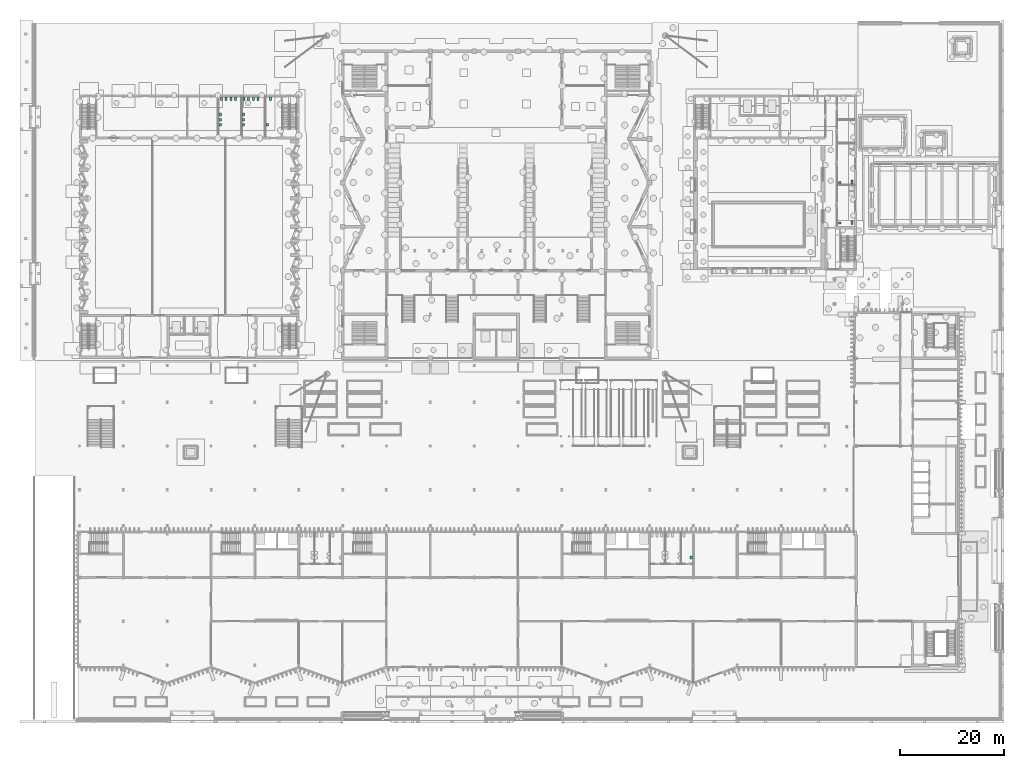
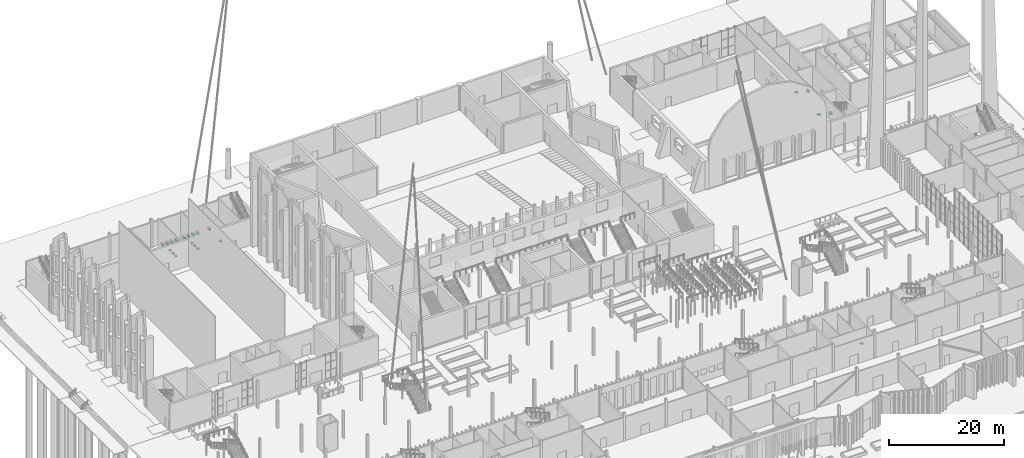
# One storey, part 107 of 108: 21 sanitary terminals.
"""IFC4 building model written with IfcOpenShell, lengths in metres."""

from ifc_helpers import new_model, si_unit, direction, frame, origin, origin_2d, place, context, subcontext, project, spatial, rectangle, extrude, material, type_object, element, save


model = new_model("IFC4")

# Units and contexts
model_context = context("Model", 3, precision=1e-05, world=origin(), true_north=direction((0.0, 1.0)))
body_context = subcontext(model_context, "Body", "Model", "MODEL_VIEW")
ifc_project = project(units=[si_unit("LENGTHUNIT", "METRE"), si_unit("AREAUNIT", "SQUARE_METRE"), si_unit("VOLUMEUNIT", "CUBIC_METRE"), si_unit("PLANEANGLEUNIT", "RADIAN"), si_unit("MASSUNIT", "GRAM", prefix="KILO")], contexts=[model_context])

# Site, building, storey
site_placement = place(None, origin())
site = spatial("IfcSite", under=ifc_project, at=site_placement, CompositionType="ELEMENT")
building_placement = place(site_placement, origin())
building = spatial("IfcBuilding", under=site, at=building_placement, Name="Cresset Court Congress Hotel", CompositionType="ELEMENT")
storey_placement = place(building_placement, origin())
storey = spatial("IfcBuildingStorey", under=building, at=storey_placement, Name="L00", CompositionType="ELEMENT", Elevation=0.0)

# Sanitary terminals
ifc_material_1 = material(Name="Vitreous china")
sanitary_terminal_type_1 = type_object("IfcSanitaryTerminalType", Name="WC pan", PredefinedType="TOILETPAN", material=ifc_material_1)
for number, where, z_axis, x_axis, name in (
    (1, (35.60009765625, 108.5, 0.0), (0.0, 0.0, 1.0), (1.0, 0.0, 0.0), "WC pan"),
    (2, (36.5, 108.5, 0.0), (0.0, 0.0, 1.0), (1.0, 0.0, 0.0), "WC pan"),
    (3, (37.39990234375, 108.5, 0.0), (0.0, 0.0, 1.0), (1.0, 0.0, 0.0), "WC pan"),
    (4, (38.300048828125, 108.5, 0.0), (0.0, 0.0, 1.0), (1.0, 0.0, 0.0), "WC pan"),
    (5, (39.89990234375, 108.5, 0.0), (0.0, 0.0, 1.0), (1.0, 0.0, 0.0), "WC pan"),
    (6, (40.800048828125, 108.5, 0.0), (0.0, 0.0, 1.0), (1.0, 0.0, 0.0), "WC pan"),
    (7, (41.699951171875, 108.5, 0.0), (0.0, 0.0, 1.0), (1.0, 0.0, 0.0), "WC pan"),
    (8, (42.60009765625, 108.5, 0.0), (0.0, 0.0, 1.0), (1.0, 0.0, 0.0), "WC pan"),
    (9, (45.0, 108.5, 0.0), (0.0, 0.0, 1.0), (1.0, 0.0, 0.0), "WC pan"),
    (10, (156.39990234375, 84.800048828125, 0.0), (0.0, 0.0, 1.0), (1.0, 0.0, 0.0), "WC pan"),
    (11, (156.39990234375, 92.60009765625, 0.0), (0.0, 0.0, 1.0), (1.0, 0.0, 0.0), "WC pan"),
):
    element("IfcSanitaryTerminal", number, at=place(storey_placement, frame(where, z_axis=z_axis, x_axis=x_axis)), inside=storey, type_object=sanitary_terminal_type_1, Name=name, PredefinedType="TOILETPAN", context=body_context, shape_type="SweptSolid", body=[
        extrude(rectangle(XDim=0.39990234375, YDim=0.699951171875, at=origin_2d()), origin(), (0.0, 0.0, 1.0), 0.39990234375),
    ])
ifc_material_2 = material(Name="Vitreous china")
sanitary_terminal_type_2 = type_object("IfcSanitaryTerminalType", Name="Wash basin", PredefinedType="WASHHANDBASIN", material=ifc_material_2)
sanitary_terminal_placement = place(storey_placement, frame((125.60009765625, 20.60009765625, 0.7998046875), z_axis=(0.0, 0.0, 1.0), x_axis=(1.0, 0.0, 0.0)))
element("IfcSanitaryTerminal", 12, at=sanitary_terminal_placement, inside=storey, type_object=sanitary_terminal_type_2, Name="Accessible WC fitting 26", PredefinedType="WASHHANDBASIN", context=body_context, shape_type="SweptSolid", body=[
    extrude(rectangle(XDim=0.449951171875, YDim=0.550048828125, at=origin_2d()), origin(), (0.0, 0.0, 1.0), 0.199951171875),
])
ifc_material_3 = material(Name="Vitreous china")
sanitary_terminal_type_3 = type_object("IfcSanitaryTerminalType", Name="Washbasin", PredefinedType="WASHHANDBASIN", material=ifc_material_3)
for number, where, z_axis, x_axis, name in (
    (13, (35.39990234375, 103.5, 0.75), (0.0, 0.0, 1.0), (0.0, 1.0, 0.0), "Washbasin"),
    (14, (35.39990234375, 104.5, 0.75), (0.0, 0.0, 1.0), (0.0, 1.0, 0.0), "Washbasin"),
    (15, (35.39990234375, 105.5, 0.75), (0.0, 0.0, 1.0), (0.0, 1.0, 0.0), "Washbasin"),
    (16, (39.800048828125, 103.5, 0.75), (0.0, 0.0, 1.0), (0.0, 1.0, 0.0), "Washbasin"),
    (17, (39.800048828125, 104.5, 0.75), (0.0, 0.0, 1.0), (0.0, 1.0, 0.0), "Washbasin"),
    (18, (39.800048828125, 105.5, 0.75), (0.0, 0.0, 1.0), (0.0, 1.0, 0.0), "Washbasin"),
    (19, (44.39990234375, 103.5, 0.75), (0.0, 0.0, 1.0), (0.0, 1.0, 0.0), "Washbasin"),
    (20, (154.0, 84.699951171875, 0.75), (0.0, 0.0, 1.0), (1.0, 0.0, 0.0), "Washbasin"),
    (21, (154.0, 92.5, 0.75), (0.0, 0.0, 1.0), (1.0, 0.0, 0.0), "Washbasin"),
):
    element("IfcSanitaryTerminal", number, at=place(storey_placement, frame(where, z_axis=z_axis, x_axis=x_axis)), inside=storey, type_object=sanitary_terminal_type_3, Name=name, PredefinedType="WASHHANDBASIN", context=body_context, shape_type="SweptSolid", body=[
        extrude(rectangle(XDim=0.5, YDim=0.39990234375, at=origin_2d()), origin(), (0.0, 0.0, 1.0), 0.199951171875),
    ])

save(model, "model.ifc")
